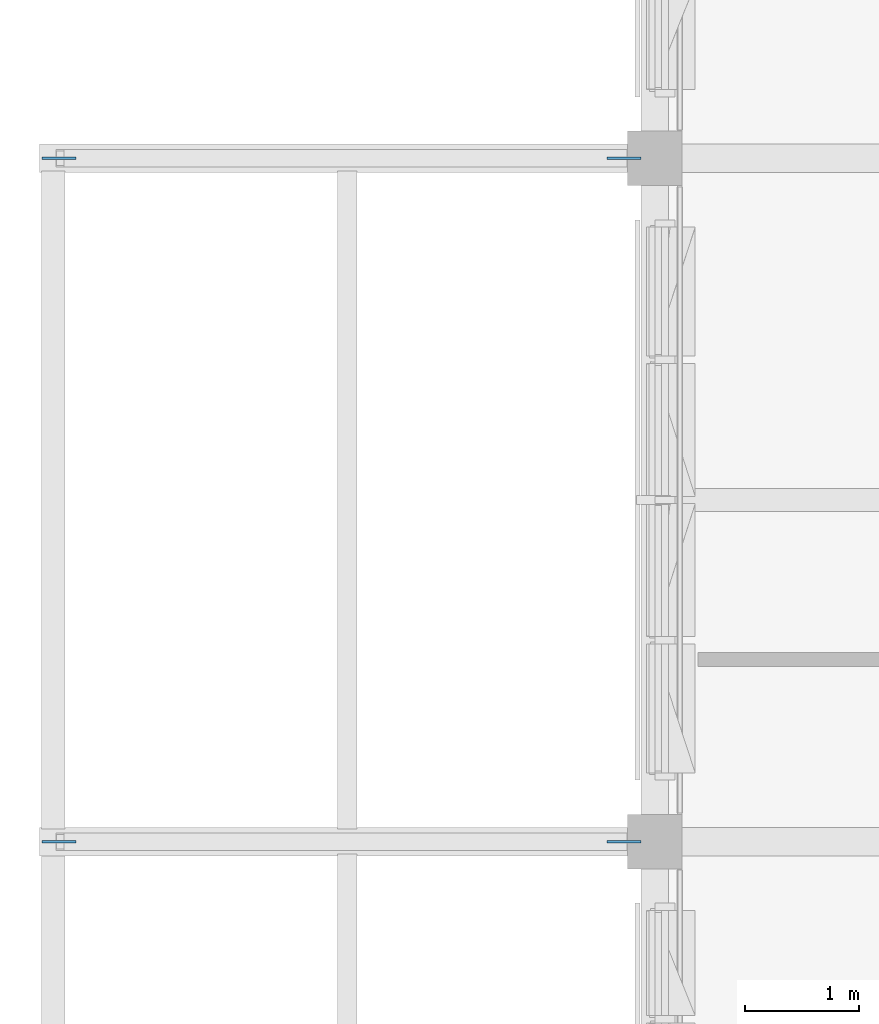
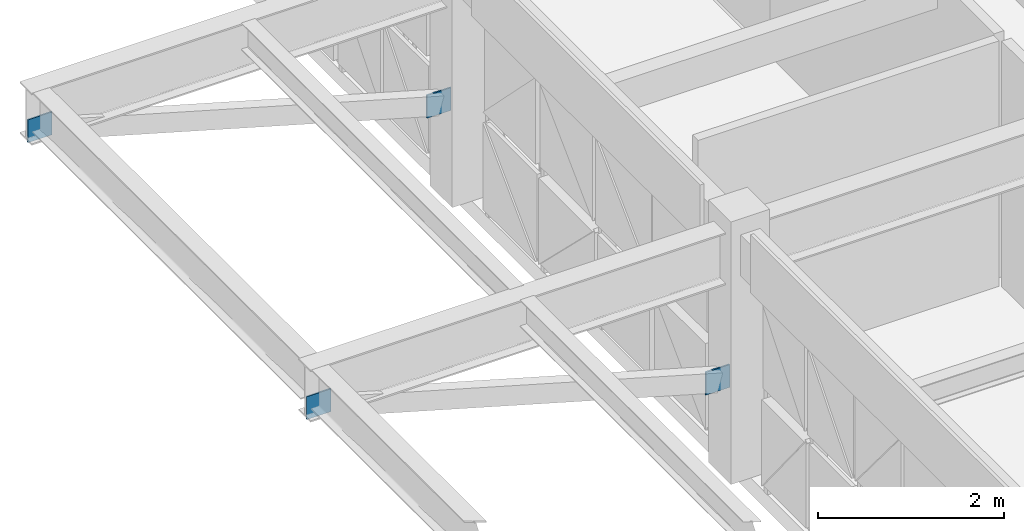
# One storey, part 20 of 30: 4 plates.
"""IFC4 building model written with IfcOpenShell, lengths in metres."""

import ifcopenshell
import ifcopenshell.guid

model = None  # the IFC model being written
_history = None  # IfcOwnerHistory: only IFC2X3 demands one
_inside = {}  # id of a spatial element -> (the spatial element, [elements in it])
_under = {}  # id of a project, library or spatial element -> (it, [spatial elements below it])
_declared = {}  # id of a project -> (the project, [libraries it declares])
_typed = {}  # id of a type object -> (the type object, [elements of that type])
_made_of = {}  # id of a material, layer set ... -> (it, [elements and type objects made of it])


def new_model(schema):
    """Start an empty IFC model of exactly this schema.

    Asked for "IFC4X3", IfcOpenShell would pick the latest addendum, in which some entities
    have other attributes; the version numbers below select the first issue.
    IFC2X3 requires an IfcOwnerHistory on every rooted entity: one is made here for all.
    """
    global model, _history
    if schema == "IFC4X3":
        model = ifcopenshell.file(schema_version=(4, 3, 0, 0))
    else:
        model = ifcopenshell.file(schema=schema)
    _inside.clear()
    _under.clear()
    _declared.clear()
    _typed.clear()
    _made_of.clear()
    _history = None
    if model.schema == "IFC2X3":
        org = make("IfcOrganization", Name="unknown")
        user = make(
            "IfcPersonAndOrganization",
            ThePerson=make("IfcPerson", FamilyName="unknown"),
            TheOrganization=org,
        )
        app = make(
            "IfcApplication",
            ApplicationDeveloper=org,
            Version="unknown",
            ApplicationFullName="unknown",
            ApplicationIdentifier="unknown",
        )
        _history = make(
            "IfcOwnerHistory",
            OwningUser=user,
            OwningApplication=app,
            ChangeAction="ADDED",
            CreationDate=0,
        )
    return model


def make(cls, **values):
    """One entity of the class cls with the attributes given. An attribute that is None is left unset."""
    return model.create_entity(
        cls, **{name: value for name, value in values.items() if value is not None}
    )


def rooted(cls, **values):
    """An entity with a GlobalId (a new one), such as an element, a storey or a relation."""
    return make(cls, GlobalId=ifcopenshell.guid.new(), OwnerHistory=_history, **values)


def si_unit(unit_type, name, prefix=None):
    """IfcSIUnit, for example si_unit("LENGTHUNIT", "METRE", prefix="MILLI")."""
    return make("IfcSIUnit", UnitType=unit_type, Prefix=prefix, Name=name)


def assignment(units):
    """IfcUnitAssignment: the units of a project."""
    return None if units is None else make("IfcUnitAssignment", Units=units)


def point(xyz):
    """IfcCartesianPoint."""
    return None if xyz is None else make("IfcCartesianPoint", Coordinates=xyz)


def direction(xyz):
    """IfcDirection."""
    return None if xyz is None else make("IfcDirection", DirectionRatios=xyz)


def frame(location, z_axis=None, x_axis=None):
    """IfcAxis2Placement3D, a coordinate frame: its origin and axes. An axis left out is left unset."""
    return make(
        "IfcAxis2Placement3D",
        Location=point(location),
        Axis=direction(z_axis),
        RefDirection=direction(x_axis),
    )


def origin():
    """The frame at (0, 0, 0) with its axes left unset."""
    return frame((0.0, 0.0, 0.0))


def place(relative_to, where):
    """IfcLocalPlacement: puts the frame where relative to a parent placement (None: the world)."""
    return make(
        "IfcLocalPlacement", PlacementRelTo=relative_to, RelativePlacement=where
    )


def context(
    kind, dimensions, precision=None, world=None, true_north=None, identifier=None
):
    """IfcGeometricRepresentationContext, for example the 3D "Model" context."""
    return make(
        "IfcGeometricRepresentationContext",
        ContextIdentifier=identifier,
        ContextType=kind,
        CoordinateSpaceDimension=dimensions,
        Precision=precision,
        WorldCoordinateSystem=world,
        TrueNorth=true_north,
    )


def subcontext(parent, identifier, kind, view, scale=None):
    """IfcGeometricRepresentationSubContext, for example "Body" below "Model"."""
    return make(
        "IfcGeometricRepresentationSubContext",
        ContextIdentifier=identifier,
        ContextType=kind,
        ParentContext=parent,
        TargetScale=scale,
        TargetView=view,
    )


def project(units=None, contexts=None):
    """IfcProject with its units and contexts."""
    return rooted(
        "IfcProject",
        Name="project",
        RepresentationContexts=contexts,
        UnitsInContext=assignment(units),
    )


def spatial(cls, under=None, at=None, **own):
    """A site, building, storey or space (cls), placed at a placement, below another one or the project."""
    s = rooted(cls, ObjectPlacement=at, **own)
    if under is not None:
        _under.setdefault(under.id(), (under, []))[1].append(s)
    return s


def polyline(points):
    """IfcPolyline through the points."""
    return make("IfcPolyline", Points=[point(p) for p in points])


def outline(outer, holes=None, kind="AREA"):
    """IfcArbitraryClosedProfileDef: a profile drawn as a closed curve; with holes, ...WithVoids."""
    if holes is None:
        return make("IfcArbitraryClosedProfileDef", ProfileType=kind, OuterCurve=outer)
    return make(
        "IfcArbitraryProfileDefWithVoids",
        ProfileType=kind,
        OuterCurve=outer,
        InnerCurves=holes,
    )


def extrude(swept, where, along, depth):
    """IfcExtrudedAreaSolid: the profile swept, set in the frame where, extruded along a direction by depth."""
    return make(
        "IfcExtrudedAreaSolid",
        SweptArea=swept,
        Position=where,
        ExtrudedDirection=direction(along),
        Depth=depth,
    )


def shape(context_of_items, identifier, shape_type, items):
    """IfcShapeRepresentation: the items that make up one representation, for example the "Body"."""
    return make(
        "IfcShapeRepresentation",
        ContextOfItems=context_of_items,
        RepresentationIdentifier=identifier,
        RepresentationType=shape_type,
        Items=items,
    )


def material(Name=None, Category=None):
    """IfcMaterial."""
    return make("IfcMaterial", Name=Name, Category=Category)


def layer(
    of_material, thickness, ventilated=None, Name=None, Category=None, Priority=None
):
    """IfcMaterialLayer: one layer of a wall or slab, of a material (None: an air gap)."""
    return make(
        "IfcMaterialLayer",
        Material=of_material,
        LayerThickness=thickness,
        IsVentilated=ventilated,
        Name=Name,
        Category=Category,
        Priority=Priority,
    )


def layer_set(layers, Name=None):
    """IfcMaterialLayerSet."""
    return make("IfcMaterialLayerSet", MaterialLayers=layers, LayerSetName=Name)


def made_of(thing, what):
    """Note that an element or type object is made of a material, layer set ...; save() writes the relation."""
    if what is not None:
        _made_of.setdefault(what.id(), (what, []))[1].append(thing)
    return thing


def type_object(cls, material=None, **own):
    """A type object (cls), such as IfcWallType, which elements share."""
    return made_of(rooted(cls, **own), material)


def element(
    cls,
    number,
    at=None,
    inside=None,
    cuts=None,
    type_object=None,
    material=None,
    context=None,
    identifier="Body",
    shape_type=None,
    held_by="IfcProductDefinitionShape",
    body=None,
    shapes=None,
    **own,
):
    """One element of the class cls, such as IfcWall. Its Tag is "e" and its number.

    at: its placement. inside: the storey or other place that contains it. cuts: it is an
    opening in that element (IfcRelVoidsElement). A single representation is given by context,
    identifier, shape_type and body (its items); several are given by shapes. held_by: the class
    of the entity that holds the representations. save() writes the other relations.
    """
    e = rooted(cls, Tag="e%d" % number, ObjectPlacement=at, **own)
    if body is not None:
        shapes = [shape(context, identifier, shape_type, body)]
    if shapes is not None:
        e.Representation = make(held_by, Representations=shapes)
    if inside is not None:
        _inside.setdefault(inside.id(), (inside, []))[1].append(e)
    if cuts is not None:
        rooted(
            "IfcRelVoidsElement", RelatingBuildingElement=cuts, RelatedOpeningElement=e
        )
    if type_object is not None:
        _typed.setdefault(type_object.id(), (type_object, []))[1].append(e)
    return made_of(e, material)


def aggregate(whole, parts):
    """IfcRelAggregates: a whole, such as a stair, and the parts it consists of."""
    return rooted("IfcRelAggregates", RelatingObject=whole, RelatedObjects=parts)


def save(model, path):
    """Write the relations noted so far, then the file.

    IfcRelAggregates (storeys below a building ...), IfcRelContainedInSpatialStructure (elements
    in a storey), IfcRelDefinesByType, IfcRelAssociatesMaterial and IfcRelDeclares: one each for
    every whole, place, type object, material and project.
    """
    for whole, parts in _under.values():
        aggregate(whole, parts)
    for where, things in _inside.values():
        rooted(
            "IfcRelContainedInSpatialStructure",
            RelatedElements=things,
            RelatingStructure=where,
        )
    for kind, things in _typed.values():
        rooted("IfcRelDefinesByType", RelatedObjects=things, RelatingType=kind)
    for what, things in _made_of.values():
        rooted("IfcRelAssociatesMaterial", RelatedObjects=things, RelatingMaterial=what)
    for by, libraries in _declared.values():
        rooted("IfcRelDeclares", RelatingContext=by, RelatedDefinitions=libraries)
    model.write(path)


model = new_model("IFC4")

# Units and contexts
model_context = context("Model", 3, precision=1e-05, world=origin(), true_north=direction((0.0, 1.0)))
body_context = subcontext(model_context, "Body", "Model", "MODEL_VIEW")
ifc_project = project(units=[si_unit("LENGTHUNIT", "METRE"), si_unit("AREAUNIT", "SQUARE_METRE"), si_unit("VOLUMEUNIT", "CUBIC_METRE"), si_unit("PLANEANGLEUNIT", "RADIAN"), si_unit("MASSUNIT", "GRAM", prefix="KILO")], contexts=[model_context])

# Site, building, storey
site_placement = place(None, origin())
site = spatial("IfcSite", under=ifc_project, at=site_placement, CompositionType="ELEMENT")
building_placement = place(site_placement, origin())
building = spatial("IfcBuilding", under=site, at=building_placement, Name="Alvorim Cloister Faculty of Sciences", CompositionType="ELEMENT")
storey_placement = place(building_placement, frame((0.0, 0.0, 26.25)))
storey = spatial("IfcBuildingStorey", under=building, at=storey_placement, Name="L07", CompositionType="ELEMENT", Elevation=26.25)

# Plates
ifc_material = material(Name="Steel ASTM A572 Grade 50", Category="steel")
ifc_layer = layer(ifc_material, 0.02001953125)
ifc_layer_set = layer_set([ifc_layer], Name="Steel ASTM A572 Grade 50")
plate_type = type_object("IfcPlateType", Name="PL-GUS-20", PredefinedType="SHEET", material=ifc_layer_set)
for number, where, z_axis, x_axis, name in (
    (1, (7.07958984375, 43.199951171875, 1.09716796875), (0.0, 0.0, 1.0), (-1.0, 0.0, 0.0), "Hollow Steel End Plate ND-06"),
    (2, (2.120361328125, 43.199951171875, 2.5126953125), (0.0, 0.0, 1.0), (-1.0, 0.0, 0.0), "Hollow Steel End Plate ND-06"),
    (3, (7.07958984375, 49.199951171875, 1.09716796875), (0.0, 0.0, 1.0), (-1.0, 0.0, 0.0), "Hollow Steel End Plate ND-06"),
    (4, (2.120361328125, 49.199951171875, 2.5126953125), (0.0, 0.0, 1.0), (-1.0, 0.0, 0.0), "Hollow Steel End Plate ND-06"),
):
    element("IfcPlate", number, at=place(storey_placement, frame(where, z_axis=z_axis, x_axis=x_axis)), inside=storey, type_object=plate_type, Name=name, PredefinedType="SHEET", context=body_context, shape_type="SweptSolid", body=[
        extrude(outline(polyline([(0.0, 0.0), (0.300048828125, 0.0), (0.300048828125, 0.300048828125), (0.0, 0.300048828125), (0.0, 0.0)])), frame((0.0, 0.010009765625, 0.0), z_axis=(0.0, -1.0, 0.0), x_axis=(1.0, 0.0, 0.0)), (0.0, 0.0, 1.0), 0.02001953125),
    ])

save(model, "model.ifc")
